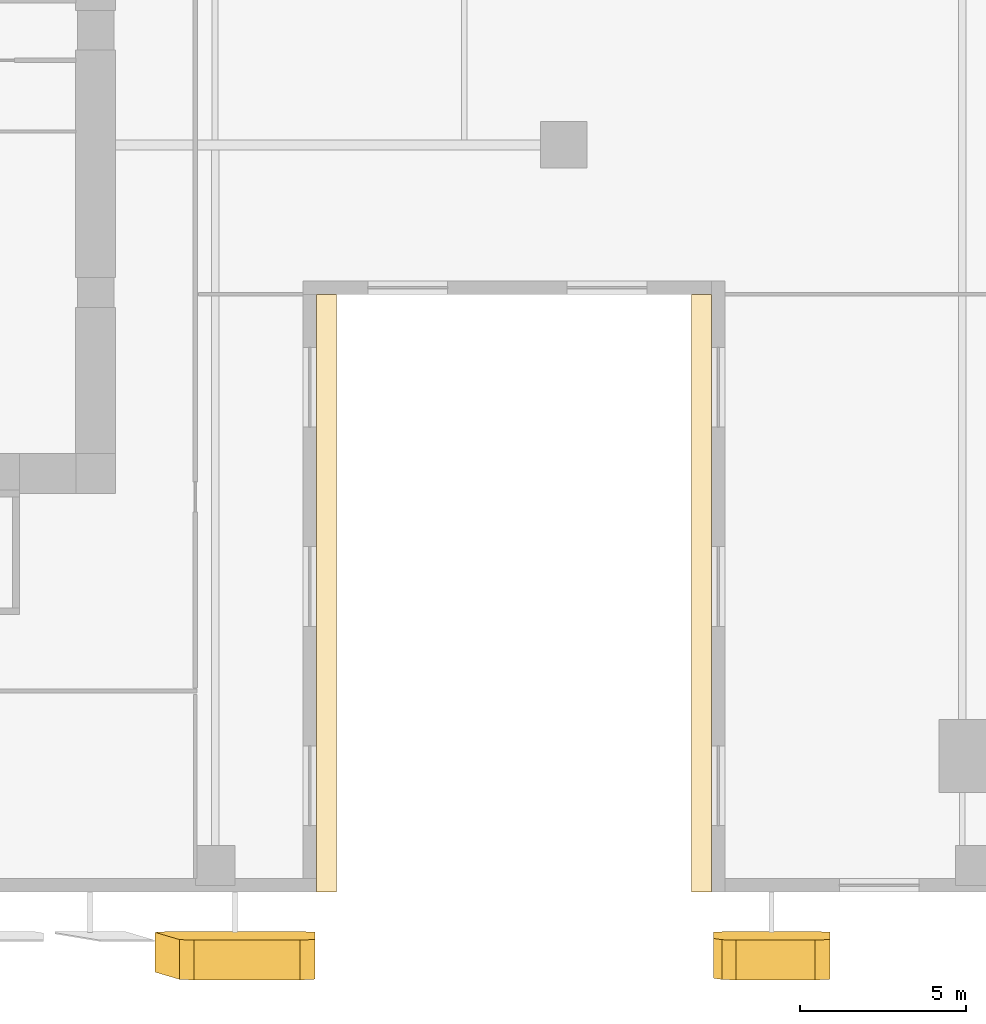
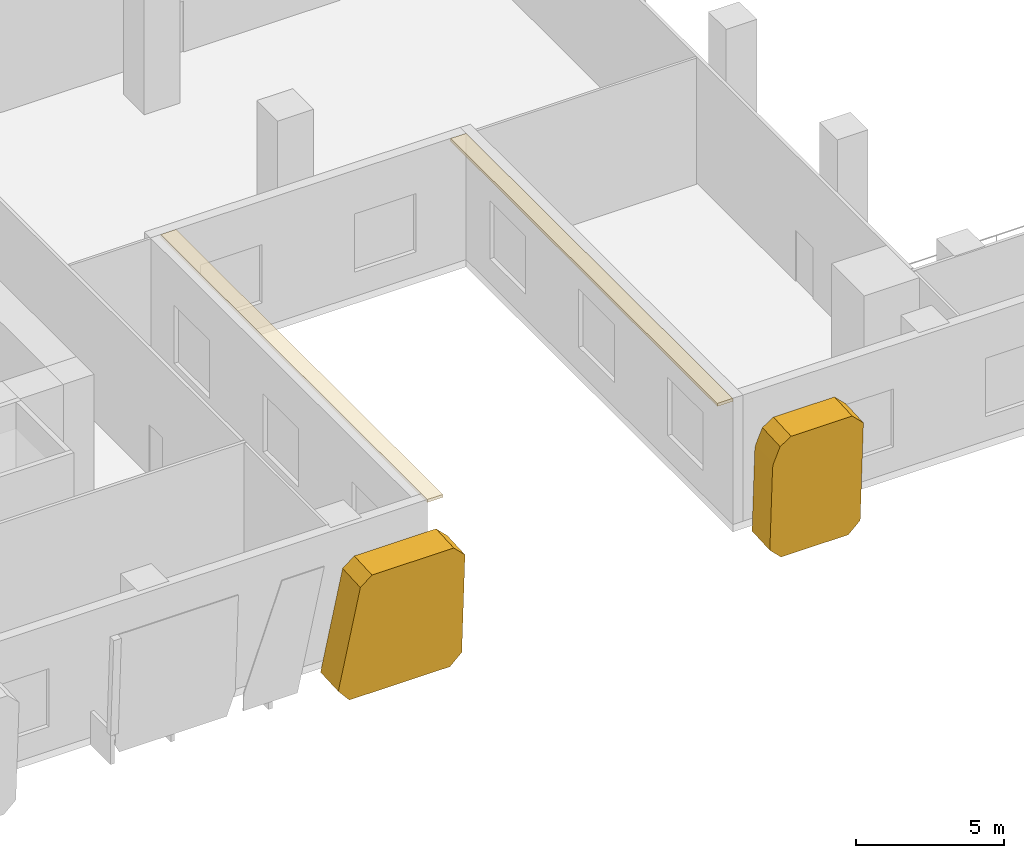
# One storey, part 18 of 23: 4 coverings.
"""IFC4 building model written with IfcOpenShell, lengths in metres."""

from ifc_helpers import new_model, si_unit, direction, frame, origin, place, context, subcontext, project, spatial, polyline, outline, extrude, source, transform, mapped, material, layer, layer_set, type_object, element, save


model = new_model("IFC4")

# Units and contexts
model_context = context("Model", 3, precision=1e-05, world=origin(), true_north=direction((0.0, 1.0)))
body_context = subcontext(model_context, "Body", "Model", "MODEL_VIEW")
ifc_project = project(units=[si_unit("LENGTHUNIT", "METRE"), si_unit("AREAUNIT", "SQUARE_METRE"), si_unit("VOLUMEUNIT", "CUBIC_METRE"), si_unit("PLANEANGLEUNIT", "RADIAN"), si_unit("MASSUNIT", "GRAM", prefix="KILO")], contexts=[model_context])

# Site, building, storey
site_placement = place(None, origin())
site = spatial("IfcSite", under=ifc_project, at=site_placement, CompositionType="ELEMENT")
building_placement = place(site_placement, origin())
building = spatial("IfcBuilding", under=site, at=building_placement, Name="Khomas Fold Tower", CompositionType="ELEMENT")
storey_placement = place(building_placement, frame((0.0, 0.0, 13.0)))
storey = spatial("IfcBuildingStorey", under=building, at=storey_placement, Name="L02", CompositionType="ELEMENT", Elevation=13.0)

# Coverings
ifc_material_1 = material(Name="Natural stone cladding", Category="masonry")
ifc_layer_1 = layer(ifc_material_1, 1.199951171875)
ifc_layer_set_1 = layer_set([ifc_layer_1], Name="Natural stone cladding")
covering_type_1 = type_object("IfcCoveringType", Name="SK-Karibib marble stone panel", PredefinedType="CLADDING", material=ifc_layer_set_1)
covering_1_placement = place(storey_placement, frame((30.0, -1.42919921875, 4.60009765625), z_axis=(1.5102198e-05, 0.998629878681, 0.052329391153), x_axis=(6.8e-10, 0.052329391159, -0.998629878794)))
element("IfcCovering", 1, at=covering_1_placement, inside=storey, type_object=covering_type_1, Name="OUTER SKIN leaf L02 SS06-2", PredefinedType="CLADDING", context=body_context, shape_type="SweptSolid", body=[
    extrude(outline(polyline([(0.0, 0.0), (4.1558306806048835, 0.0), (4.606404610367292, 0.44995117369361326), (4.606404607701126, 4.369384766996649), (4.077364500243436, 4.812500002419937), (-0.07823514947006954, 4.0791015611287795), (-0.45057393254183686, 3.6359863258404337), (-0.4505739303745602, 0.44995116995376355), (0.0, 0.0)])), origin(), (0.0, 0.0, -1.0), 1.199951171875),
])
covering_2_placement = place(storey_placement, frame((45.52001953125, -1.42919921875, 4.60009765625), z_axis=(-1.2962586e-05, 0.998629802839, 0.052330839023), x_axis=(-6.03e-10, 0.052330839027, -0.998629802923)))
element("IfcCovering", 2, at=covering_2_placement, inside=storey, type_object=covering_type_1, Name="OUTER SKIN leaf L02 SS09-3", PredefinedType="CLADDING", context=body_context, shape_type="SweptSolid", body=[
    extrude(outline(polyline([(0.0, 0.0), (4.155830680329118, 4.235164736271502e-22), (4.60640461081839, 0.44995117023219544), (4.606404612397437, 3.070068357512068), (4.155830682450502, 3.520019530954268), (0.6363648388199081, 3.5200195318477747), (0.47672506589325225, 3.490966796879545), (-0.15940874092986368, 3.2502441430820914), (-0.450573928512963, 2.829345704492297), (-0.4505739299469353, 0.4499511734421999), (0.0, 0.0)])), origin(), (0.0, 0.0, -1.0), 1.199951171875),
])
ifc_material_2 = material(Name="Natural stone cladding", Category="masonry")
ifc_layer_2 = layer(ifc_material_2, 0.1201171875)
ifc_layer_set_2 = layer_set([ifc_layer_2], Name="Natural stone cladding")
covering_type_2 = type_object("IfcCoveringType", Name="Notch soffit stone GN-SF", PredefinedType="CLADDING", material=ifc_layer_set_2)
shared_shape_1 = source(origin(), body_context, "Body", "SweptSolid", [
    extrude(outline(polyline([(41.35009765625, 18.0), (41.35009765625, 0.0), (41.949951171875, 0.0), (41.949951171875, 18.0), (41.35009765625, 18.0)])), origin(), (0.0, 0.0, 1.0), 0.119873046875),
])
covering_3_placement = place(storey_placement, frame((0.0, 0.0, 5.080078125)))
element("IfcCovering", 3, at=covering_3_placement, inside=storey, type_object=covering_type_2, Name="Notch soffit stone", PredefinedType="CLADDING", context=body_context, shape_type="MappedRepresentation", body=[
    mapped(shared_shape_1, transform((0.0, 0.0, 0.0))),
])
shared_shape_2 = source(origin(), body_context, "Body", "SweptSolid", [
    extrude(outline(polyline([(30.64990234375, 0.0), (30.64990234375, 18.0), (30.050048828125, 18.0), (30.050048828125, 0.0), (30.64990234375, 0.0)])), origin(), (0.0, 0.0, 1.0), 0.119873046875),
])
covering_4_placement = place(storey_placement, frame((0.0, 0.0, 5.080078125)))
element("IfcCovering", 4, at=covering_4_placement, inside=storey, type_object=covering_type_2, Name="Notch soffit stone", PredefinedType="CLADDING", context=body_context, shape_type="MappedRepresentation", body=[
    mapped(shared_shape_2, transform((0.0, 0.0, 0.0))),
])

save(model, "model.ifc")
